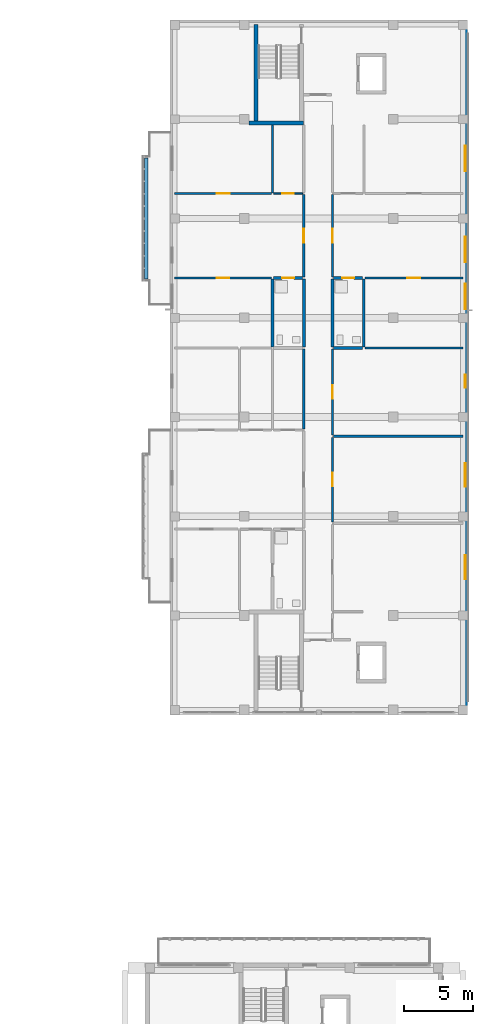
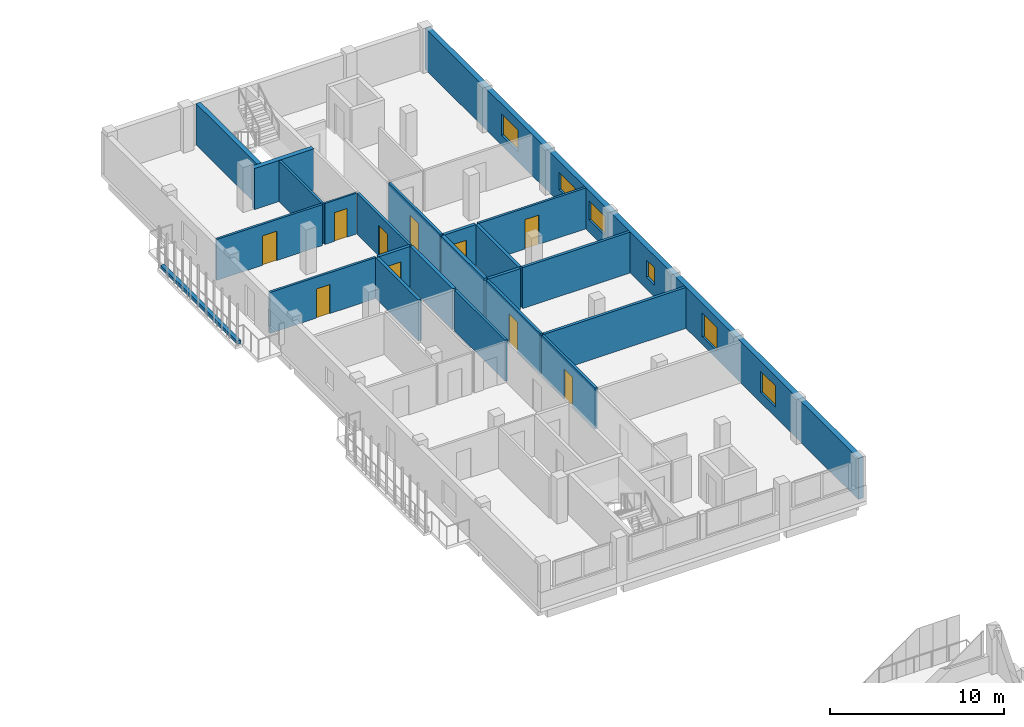
# One storey, part 35 of 51: 23 walls, 10 doors, 6 windows, 16 openings.
"""IFC4 building model written with IfcOpenShell, lengths in metres."""

from ifc_helpers import new_model, si_unit, derived_unit, direction, frame, frame_2d, origin, place, context, subcontext, project, spatial, rectangle, extrude, material, layer, layer_set, type_object, element, fill, save


model = new_model("IFC4")

# Units and contexts
model_context = context("Model", 3, precision=1e-05, world=origin(), true_north=direction((0.0, 1.0)))
body_context = subcontext(model_context, "Body", "Model", "MODEL_VIEW")
ifc_project = project(units=[si_unit("LENGTHUNIT", "METRE"), si_unit("AREAUNIT", "SQUARE_METRE"), si_unit("VOLUMEUNIT", "CUBIC_METRE"), si_unit("PLANEANGLEUNIT", "RADIAN"), si_unit("MASSUNIT", "GRAM", prefix="KILO"), derived_unit("THERMALTRANSMITTANCEUNIT", [(si_unit("MASSUNIT", "GRAM", prefix="KILO"), 1), (si_unit("TIMEUNIT", "SECOND"), -3), (si_unit("THERMODYNAMICTEMPERATUREUNIT", "KELVIN"), -1)])], contexts=[model_context])

# Site, building, storey
site_placement = place(None, origin())
site = spatial("IfcSite", under=ifc_project, at=site_placement, CompositionType="ELEMENT")
building_placement = place(site_placement, origin())
building = spatial("IfcBuilding", under=site, at=building_placement, Name="Ochrekiln Boulevard Commons", CompositionType="ELEMENT")
storey_placement = place(building_placement, frame((0.0, 0.0, 18.375)))
storey = spatial("IfcBuildingStorey", under=building, at=storey_placement, Name="L05", CompositionType="ELEMENT", Elevation=18.375)

# Wall, openings, windows
ifc_material_1 = material(Name="Iron-spot brown clinker brick masonry ASTM C216 Grade SW", Category="masonry")
ifc_layer_1 = layer(ifc_material_1, 0.340087890625)
ifc_layer_set_1 = layer_set([ifc_layer_1], Name="Iron-spot brown clinker brick masonry ASTM C216 Grade SW")
wall_type_1 = type_object("IfcWallType", Name="WL-EXT-IRON-340", PredefinedType="SOLIDWALL", material=ifc_layer_set_1)
wall_1_placement = place(storey_placement, frame((172.6298828125, 68.739990234375, 0.0), z_axis=(0.0, 0.0, 1.0), x_axis=(0.0, 1.0, 0.0)))
wall_1 = element("IfcWall", 1, at=wall_1_placement, inside=storey, type_object=wall_type_1, Name="Block B L05 E Exterior Wall", PredefinedType="SOLIDWALL", context=body_context, shape_type="SweptSolid", body=[
    extrude(rectangle(XDim=49.719970703125, YDim=0.340087890625, at=frame_2d((24.85986328125, 0.0))), origin(), (0.0, 0.0, 1.0), 2.889892578125),
])
opening_1_placement = place(wall_1_placement, frame((9.508056640625, 0.0, 0.705078125)))
opening_1 = element("IfcOpeningElement", 2, at=opening_1_placement, cuts=wall_1, Name="Opening W-38", PredefinedType="OPENING", context=body_context, shape_type="SweptSolid", body=[
    extrude(rectangle(XDim=1.719970703125, YDim=1.5, at=frame_2d((0.85986328125, 0.75))), frame((0.0, 0.179931640625, 0.0), z_axis=(0.0, -1.0, 0.0), x_axis=(1.0, 0.0, 0.0)), (0.0, 0.0, 1.0), 0.360107421875),
])
opening_2_placement = place(wall_1_placement, frame((16.196044921875, 0.0, 0.554931640625)))
opening_2 = element("IfcOpeningElement", 3, at=opening_2_placement, cuts=wall_1, Name="Opening W-39", PredefinedType="OPENING", context=body_context, shape_type="SweptSolid", body=[
    extrude(rectangle(XDim=1.719970703125, YDim=1.64990234375, at=frame_2d((0.85986328125, 0.824951171875))), frame((0.0, 0.179931640625, 0.0), z_axis=(0.0, -1.0, 0.0), x_axis=(1.0, 0.0, 0.0)), (0.0, 0.0, 1.0), 0.360107421875),
])
opening_3_placement = place(wall_1_placement, frame((23.37890625, 0.0, 0.85009765625)))
opening_3 = element("IfcOpeningElement", 4, at=opening_3_placement, cuts=wall_1, Name="Opening W-01", PredefinedType="OPENING", context=body_context, shape_type="SweptSolid", body=[
    extrude(rectangle(XDim=0.949951171875, YDim=1.199951171875, at=frame_2d((0.47509765625, 0.60009765625))), frame((0.0, 0.179931640625, 0.0), z_axis=(0.0, -1.0, 0.0), x_axis=(1.0, 0.0, 0.0)), (0.0, 0.0, 1.0), 0.360107421875),
])
opening_4_placement = place(wall_1_placement, frame((32.485107421875, 0.0, 0.89990234375)))
opening_4 = element("IfcOpeningElement", 5, at=opening_4_placement, cuts=wall_1, Name="Opening W-41", PredefinedType="OPENING", context=body_context, shape_type="SweptSolid", body=[
    extrude(rectangle(XDim=1.85009765625, YDim=1.199951171875, at=frame_2d((0.925048828125, 0.60009765625))), frame((0.0, 0.179931640625, 0.0), z_axis=(0.0, -1.0, 0.0), x_axis=(1.0, 0.0, 0.0)), (0.0, 0.0, 1.0), 0.360107421875),
])
opening_5_placement = place(wall_1_placement, frame((29.074951171875, 0.0, 0.85498046875)))
opening_5 = element("IfcOpeningElement", 6, at=opening_5_placement, cuts=wall_1, Name="Opening W-42", PredefinedType="OPENING", context=body_context, shape_type="SweptSolid", body=[
    extrude(rectangle(XDim=1.85009765625, YDim=1.35009765625, at=frame_2d((0.925048828125, 0.675048828125))), frame((0.0, 0.179931640625, 0.0), z_axis=(0.0, -1.0, 0.0), x_axis=(1.0, 0.0, 0.0)), (0.0, 0.0, 1.0), 0.360107421875),
])
opening_6_placement = place(wall_1_placement, frame((39.0791015625, 0.0, 0.705078125)))
opening_6 = element("IfcOpeningElement", 7, at=opening_6_placement, cuts=wall_1, Name="Opening W-43", PredefinedType="OPENING", context=body_context, shape_type="SweptSolid", body=[
    extrude(rectangle(XDim=1.85009765625, YDim=1.5, at=frame_2d((0.925048828125, 0.75))), frame((0.0, 0.179931640625, 0.0), z_axis=(0.0, -1.0, 0.0), x_axis=(1.0, 0.0, 0.0)), (0.0, 0.0, 1.0), 0.360107421875),
])
ifc_material_2 = material(Name="Thermally broken aluminium-clad oak frame", Category="aluminium")
window_type_1 = type_object("IfcWindowType", Name="WIN-EXT-01", PartitioningType="SINGLE_PANEL", PredefinedType="WINDOW", material=ifc_material_2)
window_1_placement = place(opening_3_placement, origin())
window_1 = element("IfcWindow", 8, at=window_1_placement, inside=storey, type_object=window_type_1, Name="Block B L05 Punched Masonry Window W-01", OverallHeight=1.199951171875, OverallWidth=0.949951171875, PartitioningType="SINGLE_PANEL", PredefinedType="WINDOW", context=body_context, shape_type="SweptSolid", body=[
    extrude(rectangle(XDim=0.949951171875, YDim=1.199951171875, at=frame_2d((0.47509765625, 0.60009765625))), frame((0.0, 0.030029296875, 0.0), z_axis=(0.0, -1.0, 0.0), x_axis=(1.0, 0.0, 0.0)), (0.0, 0.0, 1.0), 0.06005859375),
])
fill(opening_3, window_1)
window_type_2 = type_object("IfcWindowType", Name="WIN-EXT-38", PartitioningType="DOUBLE_PANEL_VERTICAL", PredefinedType="WINDOW", material=ifc_material_2)
window_2_placement = place(opening_1_placement, origin())
window_2 = element("IfcWindow", 9, at=window_2_placement, inside=storey, type_object=window_type_2, Name="Block B L05 Punched Masonry Window W-38", OverallHeight=1.5, OverallWidth=1.719970703125, PartitioningType="DOUBLE_PANEL_VERTICAL", PredefinedType="WINDOW", context=body_context, shape_type="SweptSolid", body=[
    extrude(rectangle(XDim=1.719970703125, YDim=1.5, at=frame_2d((0.85986328125, 0.75))), frame((0.0, 0.030029296875, 0.0), z_axis=(0.0, -1.0, 0.0), x_axis=(1.0, 0.0, 0.0)), (0.0, 0.0, 1.0), 0.06005859375),
])
fill(opening_1, window_2)
window_type_3 = type_object("IfcWindowType", Name="WIN-EXT-39", PartitioningType="DOUBLE_PANEL_VERTICAL", PredefinedType="WINDOW", material=ifc_material_2)
window_3_placement = place(opening_2_placement, origin())
window_3 = element("IfcWindow", 10, at=window_3_placement, inside=storey, type_object=window_type_3, Name="Block B L05 Punched Masonry Window W-39", OverallHeight=1.64990234375, OverallWidth=1.719970703125, PartitioningType="DOUBLE_PANEL_VERTICAL", PredefinedType="WINDOW", context=body_context, shape_type="SweptSolid", body=[
    extrude(rectangle(XDim=1.719970703125, YDim=1.64990234375, at=frame_2d((0.85986328125, 0.824951171875))), frame((0.0, 0.030029296875, 0.0), z_axis=(0.0, -1.0, 0.0), x_axis=(1.0, 0.0, 0.0)), (0.0, 0.0, 1.0), 0.06005859375),
])
fill(opening_2, window_3)
window_type_4 = type_object("IfcWindowType", Name="WIN-EXT-41", PartitioningType="DOUBLE_PANEL_VERTICAL", PredefinedType="WINDOW", material=ifc_material_2)
window_4_placement = place(opening_4_placement, origin())
window_4 = element("IfcWindow", 11, at=window_4_placement, inside=storey, type_object=window_type_4, Name="Block B L05 Punched Masonry Window W-41", OverallHeight=1.199951171875, OverallWidth=1.85009765625, PartitioningType="DOUBLE_PANEL_VERTICAL", PredefinedType="WINDOW", context=body_context, shape_type="SweptSolid", body=[
    extrude(rectangle(XDim=1.85009765625, YDim=1.199951171875, at=frame_2d((0.925048828125, 0.60009765625))), frame((0.0, 0.030029296875, 0.0), z_axis=(0.0, -1.0, 0.0), x_axis=(1.0, 0.0, 0.0)), (0.0, 0.0, 1.0), 0.06005859375),
])
fill(opening_4, window_4)
window_type_5 = type_object("IfcWindowType", Name="WIN-EXT-42", PartitioningType="DOUBLE_PANEL_VERTICAL", PredefinedType="WINDOW", material=ifc_material_2)
window_5_placement = place(opening_5_placement, origin())
window_5 = element("IfcWindow", 12, at=window_5_placement, inside=storey, type_object=window_type_5, Name="Block B L05 Punched Masonry Window W-42", OverallHeight=1.35009765625, OverallWidth=1.85009765625, PartitioningType="DOUBLE_PANEL_VERTICAL", PredefinedType="WINDOW", context=body_context, shape_type="SweptSolid", body=[
    extrude(rectangle(XDim=1.85009765625, YDim=1.35009765625, at=frame_2d((0.925048828125, 0.675048828125))), frame((0.0, 0.030029296875, 0.0), z_axis=(0.0, -1.0, 0.0), x_axis=(1.0, 0.0, 0.0)), (0.0, 0.0, 1.0), 0.06005859375),
])
fill(opening_5, window_5)
window_type_6 = type_object("IfcWindowType", Name="WIN-EXT-43", PartitioningType="DOUBLE_PANEL_VERTICAL", PredefinedType="WINDOW", material=ifc_material_2)
window_6_placement = place(opening_6_placement, origin())
window_6 = element("IfcWindow", 13, at=window_6_placement, inside=storey, type_object=window_type_6, Name="Block B L05 Punched Masonry Window W-43", OverallHeight=1.5, OverallWidth=1.85009765625, PartitioningType="DOUBLE_PANEL_VERTICAL", PredefinedType="WINDOW", context=body_context, shape_type="SweptSolid", body=[
    extrude(rectangle(XDim=1.85009765625, YDim=1.5, at=frame_2d((0.925048828125, 0.75))), frame((0.0, 0.030029296875, 0.0), z_axis=(0.0, -1.0, 0.0), x_axis=(1.0, 0.0, 0.0)), (0.0, 0.0, 1.0), 0.06005859375),
])
fill(opening_6, window_6)

# Wall, opening, door
ifc_material_3 = material(Name="Moisture-resistant cementitious tile backer wall")
ifc_layer_2 = layer(ifc_material_3, 0.199951171875)
ifc_layer_set_2 = layer_set([ifc_layer_2], Name="Moisture-resistant cementitious tile backer wall")
wall_type_2 = type_object("IfcWallType", Name="WL-PLM-200", PredefinedType="PLUMBINGWALL", material=ifc_layer_set_2)
wall_2_placement = place(storey_placement, frame((158.719970703125, 100.090087890625, 0.0), z_axis=(0.0, 0.0, 1.0), x_axis=(1.0, 0.0, 0.0)))
wall_2 = element("IfcWall", 14, at=wall_2_placement, inside=storey, type_object=wall_type_2, Name="L05 Interior Wall W-PW200", PredefinedType="PLUMBINGWALL", context=body_context, shape_type="SweptSolid", body=[
    extrude(rectangle(XDim=2.10693359375, YDim=0.199951171875, at=frame_2d((1.053466796875, 0.0))), origin(), (0.0, 0.0, 1.0), 2.8701171875),
])
opening_7_placement = place(wall_2_placement, frame((0.6201171875, 0.0, 0.0)))
opening_7 = element("IfcOpeningElement", 15, at=opening_7_placement, cuts=wall_2, Name="Opening D-L05-719", PredefinedType="OPENING", context=body_context, shape_type="SweptSolid", body=[
    extrude(rectangle(XDim=0.860107421875, YDim=2.0, at=frame_2d((0.43017578125, 1.0))), frame((0.0, 0.10986328125, 0.0), z_axis=(0.0, -1.0, 0.0), x_axis=(1.0, 0.0, 0.0)), (0.0, 0.0, 1.0), 0.219970703125),
])
ifc_material_4 = material(Name="Solid core architectural oak door leaf")
door_type_1 = type_object("IfcDoorType", Name="DR-INT-BTH-086", OperationType="NOTDEFINED", PredefinedType="DOOR", material=ifc_material_4)
door_1_placement = place(opening_7_placement, frame((0.860107421875, 0.0, 0.0), z_axis=(0.0, 0.0, 1.0), x_axis=(-1.0, 0.0, 0.0)))
door_1 = element("IfcDoor", 16, at=door_1_placement, inside=storey, type_object=door_type_1, Name="L05 Interior Door to Apartment Bathroom", OperationType="SINGLE_SWING_LEFT", OverallHeight=2.0, OverallWidth=0.860107421875, PredefinedType="DOOR", context=body_context, shape_type="SweptSolid", body=[
    extrude(rectangle(XDim=0.860107421875, YDim=2.0, at=frame_2d((0.43017578125, 1.0))), frame((0.0, 0.02490234375, 0.0), z_axis=(0.0, -1.0, 0.0), x_axis=(1.0, 0.0, 0.0)), (0.0, 0.0, 1.0), 0.050048828125),
])
fill(opening_7, door_1)

# Walls
wall_3_placement = place(storey_placement, frame((158.639892578125, 95.097900390625, 0.0), z_axis=(0.0, 0.0, 1.0), x_axis=(0.0, 1.0, 0.0)))
element("IfcWall", 17, at=wall_3_placement, inside=storey, type_object=wall_type_2, Name="L05 Interior Wall W-PW200", PredefinedType="PLUMBINGWALL", context=body_context, shape_type="SweptSolid", body=[
    extrude(rectangle(XDim=4.912109375, YDim=0.199951171875, at=frame_2d((2.4560546875, 0.0))), origin(), (0.0, 0.0, 1.0), 2.8701171875),
])
wall_4_placement = place(storey_placement, frame((163.072998046875, 95.008056640625, 0.0), z_axis=(0.0, 0.0, 1.0), x_axis=(1.0, 0.0, 0.0)))
element("IfcWall", 18, at=wall_4_placement, inside=storey, type_object=wall_type_2, Name="L05 Interior Wall W-PW200", PredefinedType="PLUMBINGWALL", context=body_context, shape_type="SweptSolid", body=[
    extrude(rectangle(XDim=2.10693359375, YDim=0.199951171875, at=frame_2d((1.053466796875, 0.0))), origin(), (0.0, 0.0, 1.0), 2.8701171875),
])

# Wall, opening, door
wall_5_placement = place(storey_placement, frame((163.072998046875, 100.090087890625, 0.0), z_axis=(0.0, 0.0, 1.0), x_axis=(1.0, 0.0, 0.0)))
wall_5 = element("IfcWall", 19, at=wall_5_placement, inside=storey, type_object=wall_type_2, Name="L05 Interior Wall W-PW200", PredefinedType="PLUMBINGWALL", context=body_context, shape_type="SweptSolid", body=[
    extrude(rectangle(XDim=2.10693359375, YDim=0.199951171875, at=frame_2d((1.053466796875, 0.0))), origin(), (0.0, 0.0, 1.0), 2.8701171875),
])
opening_8_placement = place(wall_5_placement, frame((0.626953125, 0.0, 0.0)))
opening_8 = element("IfcOpeningElement", 20, at=opening_8_placement, cuts=wall_5, Name="Opening D-L05-723", PredefinedType="OPENING", context=body_context, shape_type="SweptSolid", body=[
    extrude(rectangle(XDim=0.860107421875, YDim=2.0, at=frame_2d((0.43017578125, 1.0))), frame((0.0, 0.10986328125, 0.0), z_axis=(0.0, -1.0, 0.0), x_axis=(1.0, 0.0, 0.0)), (0.0, 0.0, 1.0), 0.219970703125),
])
door_2_placement = place(opening_8_placement, frame((0.860107421875, 0.0, 0.0), z_axis=(0.0, 0.0, 1.0), x_axis=(-1.0, 0.0, 0.0)))
door_2 = element("IfcDoor", 21, at=door_2_placement, inside=storey, type_object=door_type_1, Name="L05 Interior Door to Apartment Bathroom", OperationType="SINGLE_SWING_LEFT", OverallHeight=2.0, OverallWidth=0.860107421875, PredefinedType="DOOR", context=body_context, shape_type="SweptSolid", body=[
    extrude(rectangle(XDim=0.860107421875, YDim=2.0, at=frame_2d((0.43017578125, 1.0))), frame((0.0, 0.02490234375, 0.0), z_axis=(0.0, -1.0, 0.0), x_axis=(1.0, 0.0, 0.0)), (0.0, 0.0, 1.0), 0.050048828125),
])
fill(opening_8, door_2)

# Walls
wall_6_placement = place(storey_placement, frame((165.260009765625, 95.097900390625, 0.0), z_axis=(0.0, 0.0, 1.0), x_axis=(0.0, 1.0, 0.0)))
element("IfcWall", 22, at=wall_6_placement, inside=storey, type_object=wall_type_2, Name="L05 Interior Wall W-PW200", PredefinedType="PLUMBINGWALL", context=body_context, shape_type="SweptSolid", body=[
    extrude(rectangle(XDim=4.912109375, YDim=0.199951171875, at=frame_2d((2.4560546875, 0.0))), origin(), (0.0, 0.0, 1.0), 2.8701171875),
])
ifc_layer_3 = layer(ifc_material_3, 0.219970703125)
ifc_layer_set_3 = layer_set([ifc_layer_3], Name="Moisture-resistant cementitious tile backer wall")
wall_type_3 = type_object("IfcWallType", Name="WL-PLM-220", PredefinedType="PLUMBINGWALL", material=ifc_layer_set_3)
for number, where, z_axis, x_axis, name in (
    (23, (160.909912109375, 95.097900390625, 0.0), (0.0, 0.0, 1.0), (0.0, 1.0, 0.0), "L05 Interior Wall W-PW220"),
    (24, (162.989990234375, 95.097900390625, 0.0), (0.0, 0.0, 1.0), (0.0, 1.0, 0.0), "L05 Interior Wall W-PW220"),
):
    element("IfcWall", number, at=place(storey_placement, frame(where, z_axis=z_axis, x_axis=x_axis)), inside=storey, type_object=wall_type_3, Name=name, PredefinedType="PLUMBINGWALL", context=body_context, shape_type="SweptSolid", body=[
        extrude(rectangle(XDim=4.912109375, YDim=0.219970703125, at=frame_2d((2.4560546875, 0.0))), origin(), (0.0, 0.0, 1.0), 2.8701171875),
    ])
ifc_material_5 = material(Name="Glazed architectural terracotta ASTM C1405", Category="masonry")
ifc_layer_4 = layer(ifc_material_5, 0.25)
ifc_layer_set_4 = layer_set([ifc_layer_4], Name="Glazed architectural terracotta ASTM C1405")
wall_type_4 = type_object("IfcWallType", Name="WL-PLN-250", PredefinedType="PARAPET", material=ifc_layer_set_4)
wall_7_placement = place(storey_placement, frame((149.47998046875, 100.010009765625, 0.0), z_axis=(0.0, 0.0, 1.0), x_axis=(0.0, 1.0, 0.0)))
element("IfcWall", 25, at=wall_7_placement, inside=storey, type_object=wall_type_4, Name="Block B L05 Balcony Terracotta Planter Box 2", PredefinedType="PARAPET", context=body_context, shape_type="SweptSolid", body=[
    extrude(rectangle(XDim=8.780029296875, YDim=0.25, at=frame_2d((4.39013671875, 0.0))), origin(), (0.0, 0.0, 1.0), 0.22998046875),
])
ifc_material_6 = material(Name="Fire-rated Type X gypsum board on steel studs", Category="steel")
ifc_layer_5 = layer(ifc_material_6, 0.1650390625)
ifc_layer_set_5 = layer_set([ifc_layer_5], Name="Fire-rated Type X gypsum board on steel studs")
wall_type_5 = type_object("IfcWallType", Name="WL-PT-CORR-165", PredefinedType="PARTITIONING", material=ifc_layer_set_5)
wall_8_placement = place(storey_placement, frame((160.909912109375, 89.133056640625, 0.0), z_axis=(0.0, 0.0, 1.0), x_axis=(0.0, 1.0, 0.0)))
element("IfcWall", 26, at=wall_8_placement, inside=storey, type_object=wall_type_5, Name="L05 Interior Wall W-PC165", PredefinedType="PARTITIONING", context=body_context, shape_type="SweptSolid", body=[
    extrude(rectangle(XDim=5.784912109375, YDim=0.1650390625, at=frame_2d((2.892578125, 0.0))), origin(), (0.0, 0.0, 1.0), 2.8701171875),
])

# Wall, opening, door
wall_9_placement = place(storey_placement, frame((160.909912109375, 100.169921875, 0.0), z_axis=(0.0, 0.0, 1.0), x_axis=(0.0, 1.0, 0.0)))
wall_9 = element("IfcWall", 27, at=wall_9_placement, inside=storey, type_object=wall_type_5, Name="L05 Interior Wall W-PC165", PredefinedType="PARTITIONING", context=body_context, shape_type="SweptSolid", body=[
    extrude(rectangle(XDim=5.9580078125, YDim=0.1650390625, at=frame_2d((2.97900390625, 0.0))), origin(), (0.0, 0.0, 1.0), 2.8701171875),
])
opening_9_placement = place(wall_9_placement, frame((2.47412109375, 0.0, 0.0)))
opening_9 = element("IfcOpeningElement", 28, at=opening_9_placement, cuts=wall_9, Name="Opening D-L05-707", PredefinedType="OPENING", context=body_context, shape_type="SweptSolid", body=[
    extrude(rectangle(XDim=1.010009765625, YDim=2.110107421875, at=frame_2d((0.5048828125, 1.05517578125))), frame((0.0, 0.092529296875, 0.0), z_axis=(0.0, -1.0, 0.0), x_axis=(1.0, 0.0, 0.0)), (0.0, 0.0, 1.0), 0.18505859375),
])
door_type_2 = type_object("IfcDoorType", Name="DR-INT-APT-101", OperationType="NOTDEFINED", PredefinedType="DOOR", material=ifc_material_4)
door_3_placement = place(opening_9_placement, origin())
door_3 = element("IfcDoor", 29, at=door_3_placement, inside=storey, type_object=door_type_2, Name="L05 Interior Door to Two-Bedroom Apartment Living Room", OperationType="SINGLE_SWING_LEFT", OverallHeight=2.110107421875, OverallWidth=1.010009765625, PredefinedType="DOOR", context=body_context, shape_type="SweptSolid", body=[
    extrude(rectangle(XDim=1.010009765625, YDim=2.110107421875, at=frame_2d((0.5048828125, 1.05517578125))), frame((0.0, 0.02490234375, 0.0), z_axis=(0.0, -1.0, 0.0), x_axis=(1.0, 0.0, 0.0)), (0.0, 0.0, 1.0), 0.050048828125),
])
fill(opening_9, door_3)

wall_10_placement = place(storey_placement, frame((162.989990234375, 82.39599609375, 0.0), z_axis=(0.0, 0.0, 1.0), x_axis=(0.0, 1.0, 0.0)))
wall_10 = element("IfcWall", 30, at=wall_10_placement, inside=storey, type_object=wall_type_5, Name="L05 Interior Wall W-PC165", PredefinedType="PARTITIONING", context=body_context, shape_type="SweptSolid", body=[
    extrude(rectangle(XDim=6.1259765625, YDim=0.1650390625, at=frame_2d((3.06298828125, 0.0))), origin(), (0.0, 0.0, 1.0), 2.8701171875),
])
opening_10_placement = place(wall_10_placement, frame((2.572998046875, 0.0, 0.0)))
opening_10 = element("IfcOpeningElement", 31, at=opening_10_placement, cuts=wall_10, Name="Opening D-L05-709", PredefinedType="OPENING", context=body_context, shape_type="SweptSolid", body=[
    extrude(rectangle(XDim=0.97998046875, YDim=2.080078125, at=frame_2d((0.489990234375, 1.0400390625))), frame((0.0, 0.092529296875, 0.0), z_axis=(0.0, -1.0, 0.0), x_axis=(1.0, 0.0, 0.0)), (0.0, 0.0, 1.0), 0.18505859375),
])
door_type_3 = type_object("IfcDoorType", Name="DR-APT-60", OperationType="NOTDEFINED", PredefinedType="DOOR", material=ifc_material_4)
door_4_placement = place(opening_10_placement, frame((0.97998046875, 0.0, 0.0), z_axis=(0.0, 0.0, 1.0), x_axis=(-1.0, 0.0, 0.0)))
door_4 = element("IfcDoor", 32, at=door_4_placement, inside=storey, type_object=door_type_3, Name="L05 Interior Door to Resident Reading Library", OperationType="SINGLE_SWING_LEFT", OverallHeight=2.080078125, OverallWidth=0.97998046875, PredefinedType="DOOR", context=body_context, shape_type="SweptSolid", body=[
    extrude(rectangle(XDim=0.97998046875, YDim=2.080078125, at=frame_2d((0.489990234375, 1.0400390625))), frame((0.0, 0.02490234375, 0.0), z_axis=(0.0, -1.0, 0.0), x_axis=(1.0, 0.0, 0.0)), (0.0, 0.0, 1.0), 0.050048828125),
])
fill(opening_10, door_4)

wall_11_placement = place(storey_placement, frame((162.989990234375, 88.701904296875, 0.0), z_axis=(0.0, 0.0, 1.0), x_axis=(0.0, 1.0, 0.0)))
wall_11 = element("IfcWall", 33, at=wall_11_placement, inside=storey, type_object=wall_type_5, Name="L05 Interior Wall W-PC165", PredefinedType="PARTITIONING", context=body_context, shape_type="SweptSolid", body=[
    extrude(rectangle(XDim=6.216064453125, YDim=0.1650390625, at=frame_2d((3.10791015625, 0.0))), origin(), (0.0, 0.0, 1.0), 2.8701171875),
])
opening_11_placement = place(wall_11_placement, frame((2.617919921875, 0.0, 0.0)))
opening_11 = element("IfcOpeningElement", 34, at=opening_11_placement, cuts=wall_11, Name="Opening D-L05-710", PredefinedType="OPENING", context=body_context, shape_type="SweptSolid", body=[
    extrude(rectangle(XDim=0.97998046875, YDim=2.080078125, at=frame_2d((0.489990234375, 1.0400390625))), frame((0.0, 0.092529296875, 0.0), z_axis=(0.0, -1.0, 0.0), x_axis=(1.0, 0.0, 0.0)), (0.0, 0.0, 1.0), 0.18505859375),
])
door_5_placement = place(opening_11_placement, frame((0.97998046875, 0.0, 0.0), z_axis=(0.0, 0.0, 1.0), x_axis=(-1.0, 0.0, 0.0)))
door_5 = element("IfcDoor", 35, at=door_5_placement, inside=storey, type_object=door_type_3, Name="L05 Interior Door to Community Craft Room", OperationType="SINGLE_SWING_RIGHT", OverallHeight=2.080078125, OverallWidth=0.97998046875, PredefinedType="DOOR", context=body_context, shape_type="SweptSolid", body=[
    extrude(rectangle(XDim=0.97998046875, YDim=2.080078125, at=frame_2d((0.489990234375, 1.0400390625))), frame((0.0, 0.02490234375, 0.0), z_axis=(0.0, -1.0, 0.0), x_axis=(1.0, 0.0, 0.0)), (0.0, 0.0, 1.0), 0.050048828125),
])
fill(opening_11, door_5)

wall_12_placement = place(storey_placement, frame((162.989990234375, 100.169921875, 0.0), z_axis=(0.0, 0.0, 1.0), x_axis=(0.0, 1.0, 0.0)))
wall_12 = element("IfcWall", 36, at=wall_12_placement, inside=storey, type_object=wall_type_5, Name="L05 Interior Wall W-PC165", PredefinedType="PARTITIONING", context=body_context, shape_type="SweptSolid", body=[
    extrude(rectangle(XDim=5.9580078125, YDim=0.1650390625, at=frame_2d((2.97900390625, 0.0))), origin(), (0.0, 0.0, 1.0), 2.8701171875),
])
opening_12_placement = place(wall_12_placement, frame((2.47412109375, 0.0, 0.0)))
opening_12 = element("IfcOpeningElement", 37, at=opening_12_placement, cuts=wall_12, Name="Opening D-L05-711", PredefinedType="OPENING", context=body_context, shape_type="SweptSolid", body=[
    extrude(rectangle(XDim=1.010009765625, YDim=2.110107421875, at=frame_2d((0.5048828125, 1.05517578125))), frame((0.0, 0.092529296875, 0.0), z_axis=(0.0, -1.0, 0.0), x_axis=(1.0, 0.0, 0.0)), (0.0, 0.0, 1.0), 0.18505859375),
])
door_6_placement = place(opening_12_placement, frame((1.010009765625, 0.0, 0.0), z_axis=(0.0, 0.0, 1.0), x_axis=(-1.0, 0.0, 0.0)))
door_6 = element("IfcDoor", 38, at=door_6_placement, inside=storey, type_object=door_type_2, Name="L05 Interior Door to Two-Bedroom Apartment Living Room", OperationType="SINGLE_SWING_LEFT", OverallHeight=2.110107421875, OverallWidth=1.010009765625, PredefinedType="DOOR", context=body_context, shape_type="SweptSolid", body=[
    extrude(rectangle(XDim=1.010009765625, YDim=2.110107421875, at=frame_2d((0.5048828125, 1.05517578125))), frame((0.0, 0.02490234375, 0.0), z_axis=(0.0, -1.0, 0.0), x_axis=(1.0, 0.0, 0.0)), (0.0, 0.0, 1.0), 0.050048828125),
])
fill(opening_12, door_6)

# Walls
ifc_layer_6 = layer(ifc_material_6, 0.179931640625)
ifc_layer_set_6 = layer_set([ifc_layer_6], Name="Fire-rated Type X gypsum board on steel studs")
wall_type_6 = type_object("IfcWallType", Name="WL-PT-DEM-180", PredefinedType="PARTITIONING", material=ifc_layer_set_6)
wall_13_placement = place(storey_placement, frame((163.072998046875, 88.612060546875, 0.0), z_axis=(0.0, 0.0, 1.0), x_axis=(1.0, 0.0, 0.0)))
element("IfcWall", 39, at=wall_13_placement, inside=storey, type_object=wall_type_6, Name="L05 Interior Wall W-PD180", PredefinedType="PARTITIONING", context=body_context, shape_type="SweptSolid", body=[
    extrude(rectangle(XDim=9.386962890625, YDim=0.179931640625, at=frame_2d((4.693359375, 0.0))), origin(), (0.0, 0.0, 1.0), 2.8701171875),
])
wall_14_placement = place(storey_placement, frame((165.340087890625, 95.008056640625, 0.0), z_axis=(0.0, 0.0, 1.0), x_axis=(1.0, 0.0, 0.0)))
element("IfcWall", 40, at=wall_14_placement, inside=storey, type_object=wall_type_6, Name="L05 Interior Wall W-PD180", PredefinedType="PARTITIONING", context=body_context, shape_type="SweptSolid", body=[
    extrude(rectangle(XDim=7.119873046875, YDim=0.179931640625, at=frame_2d((3.56005859375, 0.0))), origin(), (0.0, 0.0, 1.0), 2.8701171875),
])

# Wall, opening, door
ifc_layer_7 = layer(ifc_material_6, 0.1201171875)
ifc_layer_set_7 = layer_set([ifc_layer_7], Name="Fire-rated Type X gypsum board on steel studs")
wall_type_7 = type_object("IfcWallType", Name="WL-PT-LGT-120", PredefinedType="PARTITIONING", material=ifc_layer_set_7)
wall_15_placement = place(storey_placement, frame((158.719970703125, 106.2080078125, 0.0), z_axis=(0.0, 0.0, 1.0), x_axis=(1.0, 0.0, 0.0)))
wall_15 = element("IfcWall", 41, at=wall_15_placement, inside=storey, type_object=wall_type_7, Name="L05 Interior Wall W-PL120", PredefinedType="PARTITIONING", context=body_context, shape_type="SweptSolid", body=[
    extrude(rectangle(XDim=2.10693359375, YDim=0.1201171875, at=frame_2d((1.053466796875, 0.0))), origin(), (0.0, 0.0, 1.0), 2.8701171875),
])
opening_13_placement = place(wall_15_placement, frame((0.625, 0.0, 0.0)))
opening_13 = element("IfcOpeningElement", 42, at=opening_13_placement, cuts=wall_15, Name="Opening D-L05-720", PredefinedType="OPENING", context=body_context, shape_type="SweptSolid", body=[
    extrude(rectangle(XDim=0.85009765625, YDim=2.010009765625, at=frame_2d((0.425048828125, 1.0048828125))), frame((0.0, 0.070068359375, 0.0), z_axis=(0.0, -1.0, 0.0), x_axis=(1.0, 0.0, 0.0)), (0.0, 0.0, 1.0), 0.14013671875),
])
door_type_4 = type_object("IfcDoorType", Name="DR-INT-KIT-085", OperationType="NOTDEFINED", PredefinedType="DOOR", material=ifc_material_4)
door_7_placement = place(opening_13_placement, origin())
door_7 = element("IfcDoor", 43, at=door_7_placement, inside=storey, type_object=door_type_4, Name="L05 Interior Door to Apartment Kitchen", OperationType="SINGLE_SWING_RIGHT", OverallHeight=2.010009765625, OverallWidth=0.85009765625, PredefinedType="DOOR", context=body_context, shape_type="SweptSolid", body=[
    extrude(rectangle(XDim=0.85009765625, YDim=2.010009765625, at=frame_2d((0.425048828125, 1.0048828125))), frame((0.0, 0.02490234375, 0.0), z_axis=(0.0, -1.0, 0.0), x_axis=(1.0, 0.0, 0.0)), (0.0, 0.0, 1.0), 0.050048828125),
])
fill(opening_13, door_7)

ifc_layer_8 = layer(ifc_material_6, 0.14990234375)
ifc_layer_set_8 = layer_set([ifc_layer_8], Name="Fire-rated Type X gypsum board on steel studs")
wall_type_8 = type_object("IfcWallType", Name="WL-PT-STD-150", PredefinedType="PARTITIONING", material=ifc_layer_set_8)
wall_16_placement = place(storey_placement, frame((151.5400390625, 100.090087890625, 0.0), z_axis=(0.0, 0.0, 1.0), x_axis=(1.0, 0.0, 0.0)))
wall_16 = element("IfcWall", 44, at=wall_16_placement, inside=storey, type_object=wall_type_8, Name="L05 Interior Wall W-PS150", PredefinedType="PARTITIONING", context=body_context, shape_type="SweptSolid", body=[
    extrude(rectangle(XDim=7.02001953125, YDim=0.14990234375, at=frame_2d((3.510009765625, 0.0))), origin(), (0.0, 0.0, 1.0), 2.8701171875),
])
opening_14_placement = place(wall_16_placement, frame((3.06494140625, 0.0, 0.0)))
opening_14 = element("IfcOpeningElement", 45, at=opening_14_placement, cuts=wall_16, Name="Opening D-L05-721", PredefinedType="OPENING", context=body_context, shape_type="SweptSolid", body=[
    extrude(rectangle(XDim=0.89990234375, YDim=2.0400390625, at=frame_2d((0.449951171875, 1.02001953125))), frame((0.0, 0.0849609375, 0.0), z_axis=(0.0, -1.0, 0.0), x_axis=(1.0, 0.0, 0.0)), (0.0, 0.0, 1.0), 0.169921875),
])
door_type_5 = type_object("IfcDoorType", Name="DR-INT-BED-090", OperationType="NOTDEFINED", PredefinedType="DOOR", material=ifc_material_4)
door_8_placement = place(opening_14_placement, frame((0.89990234375, 0.0, 0.0), z_axis=(0.0, 0.0, 1.0), x_axis=(-1.0, 0.0, 0.0)))
door_8 = element("IfcDoor", 46, at=door_8_placement, inside=storey, type_object=door_type_5, Name="L05 Interior Door to Primary Apartment Bedroom", OperationType="SINGLE_SWING_LEFT", OverallHeight=2.0400390625, OverallWidth=0.89990234375, PredefinedType="DOOR", context=body_context, shape_type="SweptSolid", body=[
    extrude(rectangle(XDim=0.89990234375, YDim=2.0400390625, at=frame_2d((0.449951171875, 1.02001953125))), frame((0.0, 0.02490234375, 0.0), z_axis=(0.0, -1.0, 0.0), x_axis=(1.0, 0.0, 0.0)), (0.0, 0.0, 1.0), 0.050048828125),
])
fill(opening_14, door_8)

wall_17_placement = place(storey_placement, frame((151.5400390625, 106.2080078125, 0.0), z_axis=(0.0, 0.0, 1.0), x_axis=(1.0, 0.0, 0.0)))
wall_17 = element("IfcWall", 47, at=wall_17_placement, inside=storey, type_object=wall_type_8, Name="L05 Interior Wall W-PS150", PredefinedType="PARTITIONING", context=body_context, shape_type="SweptSolid", body=[
    extrude(rectangle(XDim=7.02001953125, YDim=0.14990234375, at=frame_2d((3.510009765625, 0.0))), origin(), (0.0, 0.0, 1.0), 2.8701171875),
])
opening_15_placement = place(wall_17_placement, frame((3.044921875, 0.0, 0.0)))
opening_15 = element("IfcOpeningElement", 48, at=opening_15_placement, cuts=wall_17, Name="Opening D-L05-722", PredefinedType="OPENING", context=body_context, shape_type="SweptSolid", body=[
    extrude(rectangle(XDim=0.93994140625, YDim=2.06005859375, at=frame_2d((0.469970703125, 1.030029296875))), frame((0.0, 0.0849609375, 0.0), z_axis=(0.0, -1.0, 0.0), x_axis=(1.0, 0.0, 0.0)), (0.0, 0.0, 1.0), 0.169921875),
])
door_type_6 = type_object("IfcDoorType", Name="DR-INT-BED-094", OperationType="NOTDEFINED", PredefinedType="DOOR", material=ifc_material_4)
door_9_placement = place(opening_15_placement, origin())
door_9 = element("IfcDoor", 49, at=door_9_placement, inside=storey, type_object=door_type_6, Name="L05 Interior Door to Secondary Apartment Bedroom", OperationType="SINGLE_SWING_RIGHT", OverallHeight=2.06005859375, OverallWidth=0.93994140625, PredefinedType="DOOR", context=body_context, shape_type="SweptSolid", body=[
    extrude(rectangle(XDim=0.93994140625, YDim=2.06005859375, at=frame_2d((0.469970703125, 1.030029296875))), frame((0.0, 0.02490234375, 0.0), z_axis=(0.0, -1.0, 0.0), x_axis=(1.0, 0.0, 0.0)), (0.0, 0.0, 1.0), 0.050048828125),
])
fill(opening_15, door_9)

# Wall
wall_18_placement = place(storey_placement, frame((158.639892578125, 106.26806640625, 0.0), z_axis=(0.0, 0.0, 1.0), x_axis=(0.0, 1.0, 0.0)))
element("IfcWall", 50, at=wall_18_placement, inside=storey, type_object=wall_type_8, Name="L05 Interior Wall W-PS150", PredefinedType="PARTITIONING", context=body_context, shape_type="SweptSolid", body=[
    extrude(rectangle(XDim=4.931884765625, YDim=0.14990234375, at=frame_2d((2.4658203125, 0.0))), origin(), (0.0, 0.0, 1.0), 2.8701171875),
])

# Wall, opening, door
wall_19_placement = place(storey_placement, frame((165.340087890625, 100.090087890625, 0.0), z_axis=(0.0, 0.0, 1.0), x_axis=(1.0, 0.0, 0.0)))
wall_19 = element("IfcWall", 51, at=wall_19_placement, inside=storey, type_object=wall_type_8, Name="L05 Interior Wall W-PS150", PredefinedType="PARTITIONING", context=body_context, shape_type="SweptSolid", body=[
    extrude(rectangle(XDim=7.119873046875, YDim=0.14990234375, at=frame_2d((3.56005859375, 0.0))), origin(), (0.0, 0.0, 1.0), 2.8701171875),
])
opening_16_placement = place(wall_19_placement, frame((3.0849609375, 0.0, 0.0)))
opening_16 = element("IfcOpeningElement", 52, at=opening_16_placement, cuts=wall_19, Name="Opening D-L05-725", PredefinedType="OPENING", context=body_context, shape_type="SweptSolid", body=[
    extrude(rectangle(XDim=0.93994140625, YDim=2.06005859375, at=frame_2d((0.469970703125, 1.030029296875))), frame((0.0, 0.0849609375, 0.0), z_axis=(0.0, -1.0, 0.0), x_axis=(1.0, 0.0, 0.0)), (0.0, 0.0, 1.0), 0.169921875),
])
door_10_placement = place(opening_16_placement, frame((0.93994140625, 0.0, 0.0), z_axis=(0.0, 0.0, 1.0), x_axis=(-1.0, 0.0, 0.0)))
door_10 = element("IfcDoor", 53, at=door_10_placement, inside=storey, type_object=door_type_6, Name="L05 Interior Door to Primary Apartment Bedroom", OperationType="SINGLE_SWING_LEFT", OverallHeight=2.06005859375, OverallWidth=0.93994140625, PredefinedType="DOOR", context=body_context, shape_type="SweptSolid", body=[
    extrude(rectangle(XDim=0.93994140625, YDim=2.06005859375, at=frame_2d((0.469970703125, 1.030029296875))), frame((0.0, 0.02490234375, 0.0), z_axis=(0.0, -1.0, 0.0), x_axis=(1.0, 0.0, 0.0)), (0.0, 0.0, 1.0), 0.050048828125),
])
fill(opening_16, door_10)

# Walls
ifc_material_7 = material(Name="Concrete C40/50", Category="concrete")
ifc_layer_9 = layer(ifc_material_7, 0.300048828125)
ifc_layer_set_9 = layer_set([ifc_layer_9], Name="Concrete C40/50")
wall_type_9 = type_object("IfcWallType", Name="WL-SH-300", PredefinedType="SHEAR", material=ifc_layer_set_9)
wall_20_placement = place(storey_placement, frame((156.949951171875, 111.330078125, 0.0), z_axis=(0.0, 0.0, 1.0), x_axis=(1.0, 0.0, 0.0)))
element("IfcWall", 54, at=wall_20_placement, inside=storey, type_object=wall_type_9, Name="Stair ST-B2 L05 Core Shear Wall S", PredefinedType="SHEAR", context=body_context, shape_type="SweptSolid", body=[
    extrude(rectangle(XDim=3.949951171875, YDim=0.300048828125, at=frame_2d((1.97509765625, 0.0))), origin(), (0.0, 0.0, 1.0), 2.889892578125),
])
wall_21_placement = place(storey_placement, frame((157.449951171875, 111.47998046875, 0.0), z_axis=(0.0, 0.0, 1.0), x_axis=(0.0, 1.0, 0.0)))
element("IfcWall", 55, at=wall_21_placement, inside=storey, type_object=wall_type_9, Name="Stair ST-B2 L05 Core Shear Wall W", PredefinedType="SHEAR", context=body_context, shape_type="SweptSolid", body=[
    extrude(rectangle(XDim=7.0, YDim=0.300048828125, at=frame_2d((3.5, 0.0))), origin(), (0.0, 0.0, 1.0), 2.889892578125),
])

save(model, "model.ifc")
